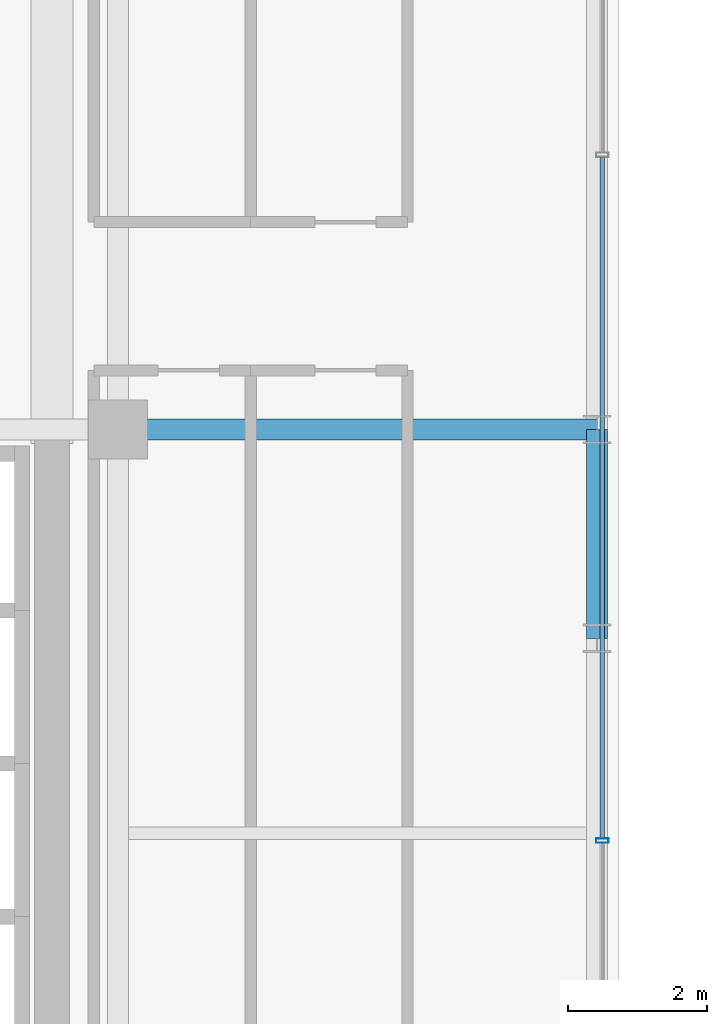
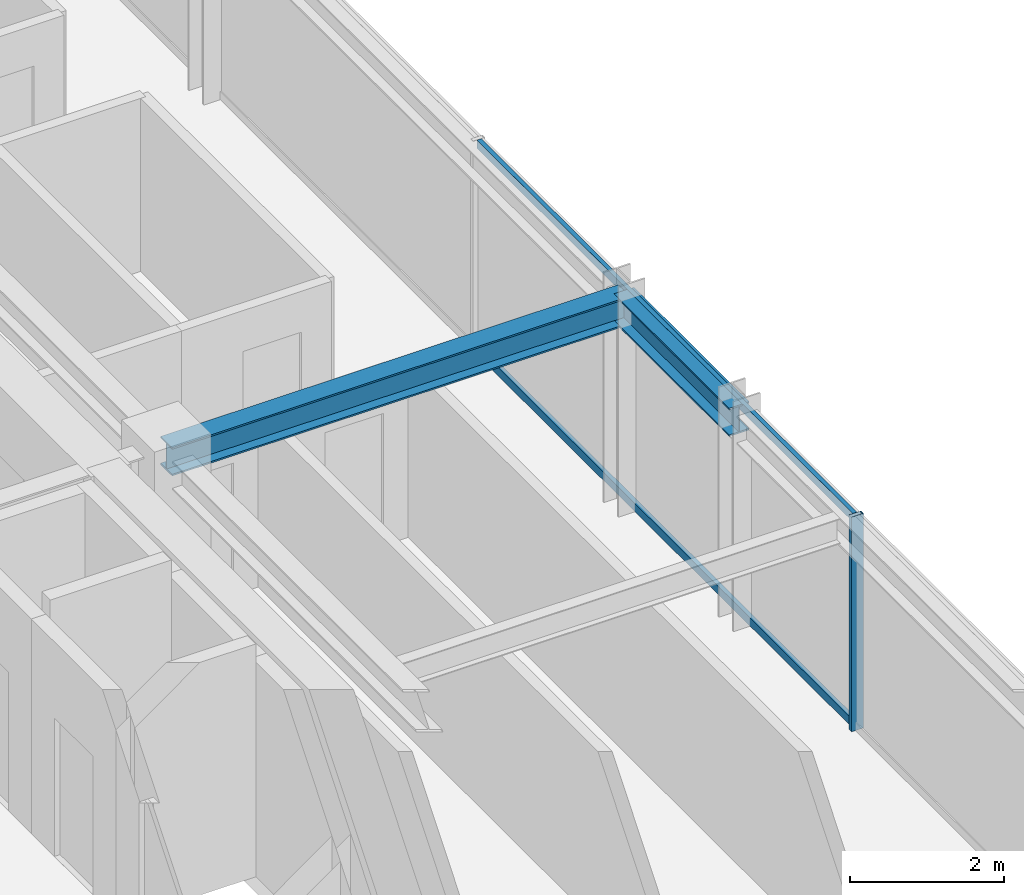
# One storey, part 15 of 36: 3 members, 2 beams, 1 element without a shape of its own.
"""IFC4 building model written with IfcOpenShell, lengths in metres."""

from ifc_helpers import new_model, si_unit, direction, frame, origin, origin_2d, place, context, subcontext, project, spatial, hollow_rectangle, i_section, extrude, source, transform, mapped, material, material_profile, profile_set, type_object, element, aggregate, save


model = new_model("IFC4")

# Units and contexts
model_context = context("Model", 3, precision=1e-05, world=origin(), true_north=direction((0.0, 1.0)))
body_context = subcontext(model_context, "Body", "Model", "MODEL_VIEW")
ifc_project = project(units=[si_unit("LENGTHUNIT", "METRE"), si_unit("AREAUNIT", "SQUARE_METRE"), si_unit("VOLUMEUNIT", "CUBIC_METRE"), si_unit("PLANEANGLEUNIT", "RADIAN"), si_unit("MASSUNIT", "GRAM", prefix="KILO")], contexts=[model_context])

# Site, building, storey
site_placement = place(None, origin())
site = spatial("IfcSite", under=ifc_project, at=site_placement, CompositionType="ELEMENT")
building_placement = place(site_placement, origin())
building = spatial("IfcBuilding", under=site, at=building_placement, Name="Nahalor Promenade Grand Hotel", CompositionType="ELEMENT")
storey_placement = place(building_placement, frame((0.0, 0.0, 223.39990234375)))
storey = spatial("IfcBuildingStorey", under=building, at=storey_placement, Name="L57", CompositionType="ELEMENT", Elevation=223.39990234375)

# Beams
ifc_material_1 = material(Name="Steel S355JR", Category="steel")
ifc_material_profile_1 = material_profile(ifc_material_1, i_section(OverallWidth=0.3, OverallDepth=0.45, WebThickness=0.014, FlangeThickness=0.026, at=origin_2d()), Name="HEB 450")
ifc_profile_set_1 = profile_set([ifc_material_profile_1], Name="Steel S355JR")
beam_type_1 = type_object("IfcBeamType", Name="Beam-Spandrel-HEB450", PredefinedType="SPANDREL", material=ifc_profile_set_1)
shared_shape_1 = source(origin(), body_context, "Body", "SweptSolid", [
    extrude(i_section(OverallWidth=0.3, OverallDepth=0.45, WebThickness=0.014, FlangeThickness=0.026, at=origin_2d()), origin(), (0.0, 0.0, 1.0), 3.0),
])
beam_1_placement = place(storey_placement, frame((23.8798828125, -8.39990234375, 3.18505859375), z_axis=(0.0, 1.0, 0.0), x_axis=(-1.0, 0.0, 0.0)))
element("IfcBeam", 1, at=beam_1_placement, inside=storey, type_object=beam_type_1, Name="BM-L57-SP-E-1", PredefinedType="SPANDREL", context=body_context, shape_type="MappedRepresentation", body=[
    mapped(shared_shape_1, transform((0.0, 0.0, 0.0), scale=1.0)),
])
ifc_material_profile_2 = material_profile(ifc_material_1, i_section(OverallWidth=0.3, OverallDepth=0.45, WebThickness=0.014, FlangeThickness=0.026, at=origin_2d()), Name="HEB 450")
ifc_profile_set_2 = profile_set([ifc_material_profile_2], Name="Steel S355JR")
beam_type_2 = type_object("IfcBeamType", Name="Beam-Girder-HEB450", PredefinedType="BEAM", material=ifc_profile_set_2)
shared_shape_2 = source(origin(), body_context, "Body", "SweptSolid", [
    extrude(i_section(OverallWidth=0.3, OverallDepth=0.45, WebThickness=0.014, FlangeThickness=0.026, at=origin_2d()), origin(), (0.0, 0.0, 1.0), 6.8798828125),
])
beam_2_placement = place(storey_placement, frame((17.0, -5.39990234375, 3.18505859375), z_axis=(1.0, 0.0, 0.0), x_axis=(0.0, 1.0, 0.0)))
element("IfcBeam", 2, at=beam_2_placement, inside=storey, type_object=beam_type_2, Name="BM-L57-GX-1-6", PredefinedType="BEAM", context=body_context, shape_type="MappedRepresentation", body=[
    mapped(shared_shape_2, transform((0.0, 0.0, 0.0), scale=1.0)),
])

# Curtain wall, members
ifc_material_2 = material(Name="Anodised Bronze Aluminium EN AW-6063 T6", Category="aluminium")
curtain_wall_type = type_object("IfcCurtainWallType", Name="CW2 Typical Hotel Flush Bronze Unitised Curtain Wall", PredefinedType="USERDEFINED", material=ifc_material_2)
curtain_wall_placement = place(storey_placement, origin())
curtain_wall = element("IfcCurtainWall", 3, at=curtain_wall_placement, inside=storey, type_object=curtain_wall_type, Name="L57 Curtain Wall CW-L57-E-1", ObjectType="UNITISED_CURTAIN_WALL", PredefinedType="USERDEFINED")
ifc_material_profile_3 = material_profile(ifc_material_2, hollow_rectangle(XDim=0.065, YDim=0.18, WallThickness=0.004, at=origin_2d()), Name="CWM 65x180x4")
ifc_profile_set_3 = profile_set([ifc_material_profile_3], Name="Anodised Bronze Aluminium EN AW-6063 T6")
member_type_1 = type_object("IfcMemberType", Name="CWM2 Typical Bronze Mullion 65x180", PredefinedType="MULLION", material=ifc_profile_set_3)
shared_shape_3 = source(origin(), body_context, "Body", "SweptSolid", [
    extrude(hollow_rectangle(XDim=0.065, YDim=0.18, WallThickness=0.004, at=origin_2d()), origin(), (0.0, 0.0, 1.0), 3.41015625),
])
member_1_placement = place(storey_placement, frame((23.9599609375, -11.306640625, 0.0), z_axis=(0.0, 0.0, 1.0), x_axis=(0.0, 1.0, 0.0)))
member_1 = element("IfcMember", 4, at=member_1_placement, type_object=member_type_1, Name="CW-L57-E-1 Mullion 1", PredefinedType="MULLION", context=body_context, shape_type="MappedRepresentation", body=[
    mapped(shared_shape_3, transform((0.0, 0.0, 0.0), scale=1.0)),
])
ifc_material_profile_4 = material_profile(ifc_material_2, hollow_rectangle(XDim=0.065, YDim=0.13, WallThickness=0.004, at=origin_2d()), Name="CWT 65x130x4")
ifc_profile_set_4 = profile_set([ifc_material_profile_4], Name="Anodised Bronze Aluminium EN AW-6063 T6")
member_type_2 = type_object("IfcMemberType", Name="CWT2 Typical Bronze Transom 65x130", PredefinedType="USERDEFINED", material=ifc_profile_set_4)
shared_shape_4 = source(origin(), body_context, "Body", "SweptSolid", [
    extrude(hollow_rectangle(XDim=0.065, YDim=0.13, WallThickness=0.004, at=origin_2d()), origin(), (0.0, 0.0, 1.0), 9.788330078125),
])
member_2_placement = place(storey_placement, frame((23.9599609375, -11.274169921875, 0.065185546875), z_axis=(0.0, 1.0, 0.0), x_axis=(-1.0, 0.0, 0.0)))
member_2 = element("IfcMember", 5, at=member_2_placement, type_object=member_type_2, Name="CW-L57-E-1 Transom 1-0", ObjectType="TRANSOM", PredefinedType="USERDEFINED", context=body_context, shape_type="MappedRepresentation", body=[
    mapped(shared_shape_4, transform((0.0, 0.0, 0.0), scale=1.0)),
])
member_3_placement = place(storey_placement, frame((23.9599609375, -11.274169921875, 3.34521484375), z_axis=(0.0, 1.0, 0.0), x_axis=(-1.0, 0.0, 0.0)))
member_3 = element("IfcMember", 6, at=member_3_placement, type_object=member_type_2, Name="CW-L57-E-1 Transom 1-1", ObjectType="TRANSOM", PredefinedType="USERDEFINED", context=body_context, shape_type="MappedRepresentation", body=[
    mapped(shared_shape_4, transform((0.0, 0.0, 0.0), scale=1.0)),
])
aggregate(curtain_wall, [member_1, member_2, member_3])

save(model, "model.ifc")
